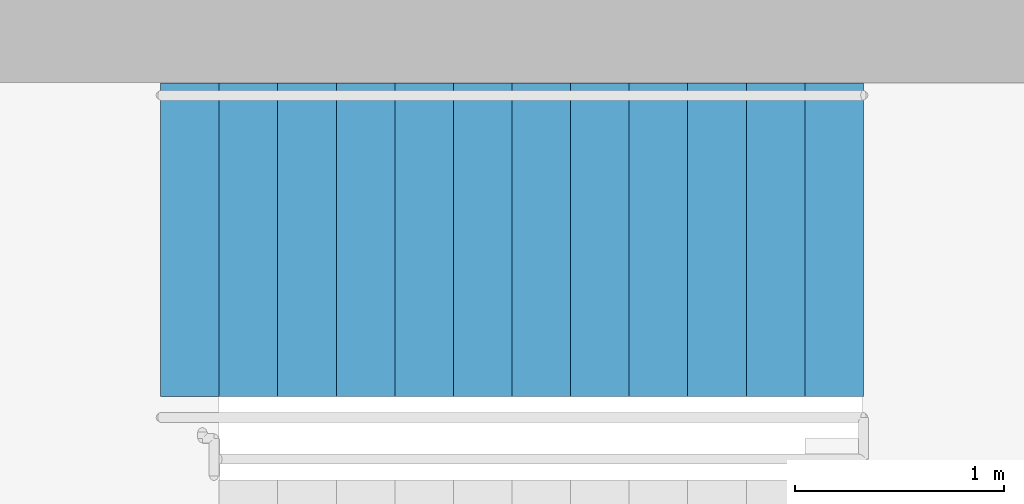
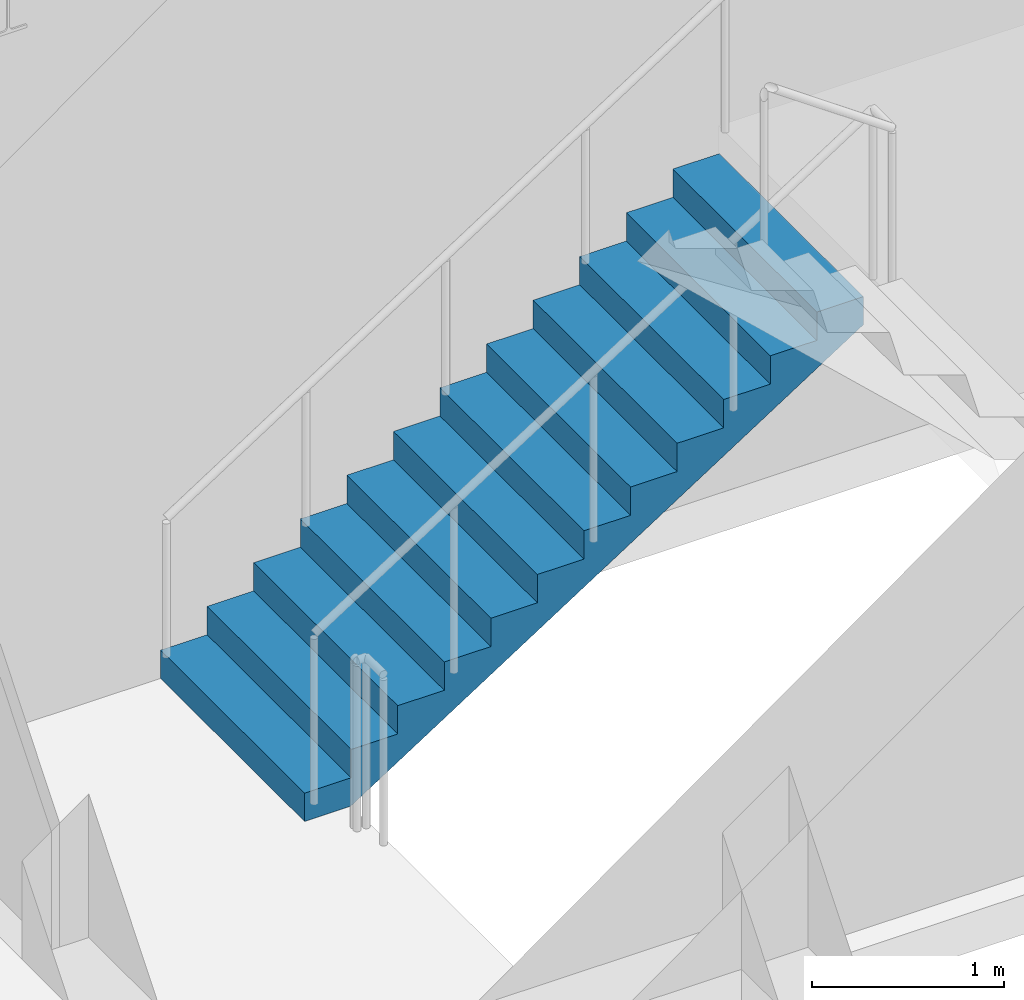
# One storey, part 9 of 13: 1 stair flight, 1 element without a shape of its own.
"""IFC4 building model written with IfcOpenShell, lengths in metres."""

from ifc_helpers import new_model, si_unit, direction, frame, origin, place, context, subcontext, project, spatial, polyline, outline, extrude, material, type_object, element, aggregate, save


model = new_model("IFC4")

# Units and contexts
model_context = context("Model", 3, precision=1e-05, world=origin(), true_north=direction((0.0, 1.0)))
body_context = subcontext(model_context, "Body", "Model", "MODEL_VIEW")
ifc_project = project(units=[si_unit("LENGTHUNIT", "METRE"), si_unit("AREAUNIT", "SQUARE_METRE"), si_unit("VOLUMEUNIT", "CUBIC_METRE"), si_unit("PLANEANGLEUNIT", "RADIAN"), si_unit("MASSUNIT", "GRAM", prefix="KILO")], contexts=[model_context])

# Site, building, storey
site_placement = place(None, origin())
site = spatial("IfcSite", under=ifc_project, at=site_placement, CompositionType="ELEMENT")
building_placement = place(site_placement, origin())
building = spatial("IfcBuilding", under=site, at=building_placement, Name="Claustro Exchange Tower", CompositionType="ELEMENT")
storey_placement = place(building_placement, frame((0.0, 0.0, 86.39990234375)))
storey = spatial("IfcBuildingStorey", under=building, at=storey_placement, Name="L19", CompositionType="ELEMENT", Elevation=86.39990234375)

# Stair, stair flight
ifc_material_1 = material(Name="Concrete HA-30 (C30/37), precast", Category="concrete")
stair_type = type_object("IfcStairType", Name="ST2 half-turn stair, 25 risers of 180", PredefinedType="HALF_TURN_STAIR", material=ifc_material_1)
stair_placement = place(storey_placement, origin())
stair = element("IfcStair", 1, at=stair_placement, inside=storey, type_object=stair_type, Name="Stair STEB L19", PredefinedType="HALF_TURN_STAIR")
ifc_material_2 = material(Name="Concrete HA-30 (C30/37), precast", Category="concrete")
stair_flight_type = type_object("IfcStairFlightType", Name="SF13 straight flight, 13 risers of 180, 1500 wide", PredefinedType="STRAIGHT", material=ifc_material_2)
stair_flight_placement = place(storey_placement, frame((45.199951171875, 36.14990234375, 0.0), z_axis=(0.0, 0.0, 1.0), x_axis=(1.0, 0.0, 0.0)))
stair_flight = element("IfcStairFlight", 2, at=stair_flight_placement, type_object=stair_flight_type, Name="STEB flight 1", NumberOfRisers=13, NumberOfTreads=12, PredefinedType="STRAIGHT", RiserHeight=0.18, TreadLength=0.28, context=body_context, shape_type="SweptSolid", body=[
    extrude(outline(polyline([(0.0, 0.0), (0.0, 0.179931640625), (0.280029296875, 0.179931640625), (0.280029296875, 0.360107421875), (0.56005859375, 0.360107421875), (0.56005859375, 0.5400390625), (0.840087890625, 0.5400390625), (0.840087890625, 0.719970703125), (1.1201171875, 0.719970703125), (1.1201171875, 0.89990234375), (1.39990234375, 0.89990234375), (1.39990234375, 1.080078125), (1.679931640625, 1.080078125), (1.679931640625, 1.260009765625), (1.9599609375, 1.260009765625), (1.9599609375, 1.43994140625), (2.239990234375, 1.43994140625), (2.239990234375, 1.6201171875), (2.52001953125, 1.6201171875), (2.52001953125, 1.800048828125), (2.800048828125, 1.800048828125), (2.800048828125, 1.97998046875), (3.080078125, 1.97998046875), (3.080078125, 2.159912109375), (3.360107421875, 2.159912109375), (3.360107421875, 2.340087890625), (3.360107421875, 1.981689453125), (0.277099609375, 0.0), (0.0, 0.0)])), frame((0.0, 0.75, 0.0), z_axis=(0.0, -1.0, 0.0), x_axis=(1.0, 0.0, 0.0)), (0.0, 0.0, 1.0), 1.5),
])
aggregate(stair, [stair_flight])

save(model, "model.ifc")
